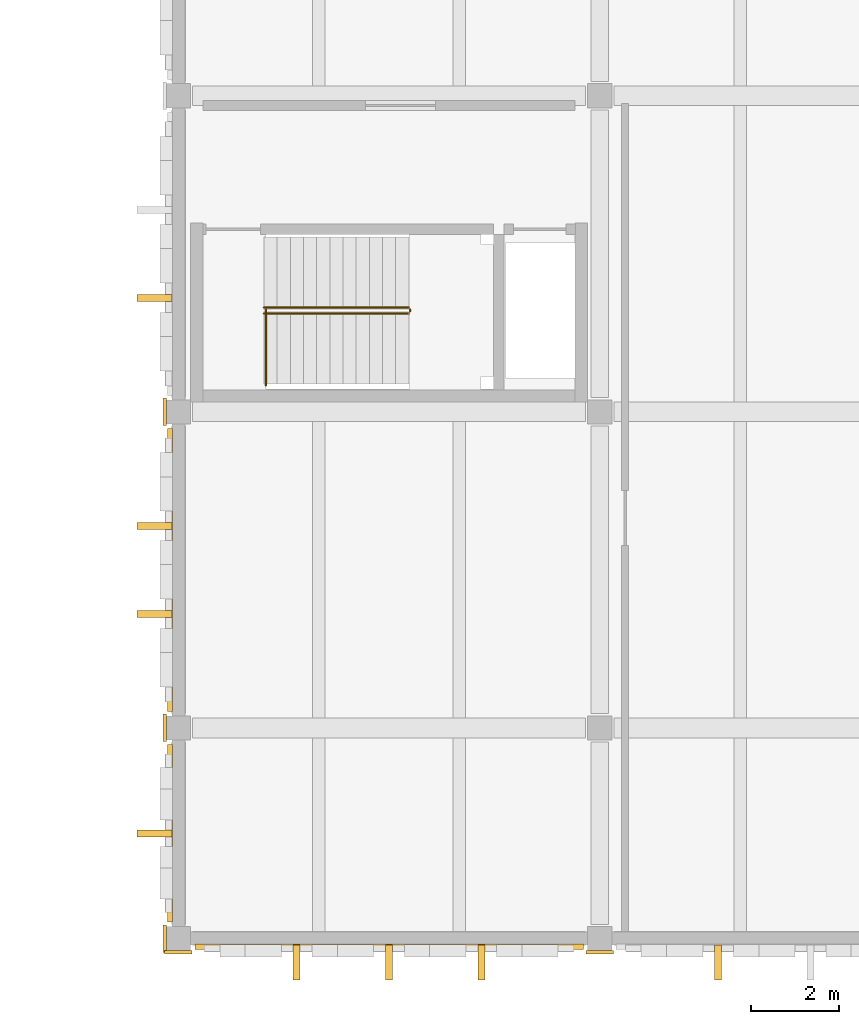
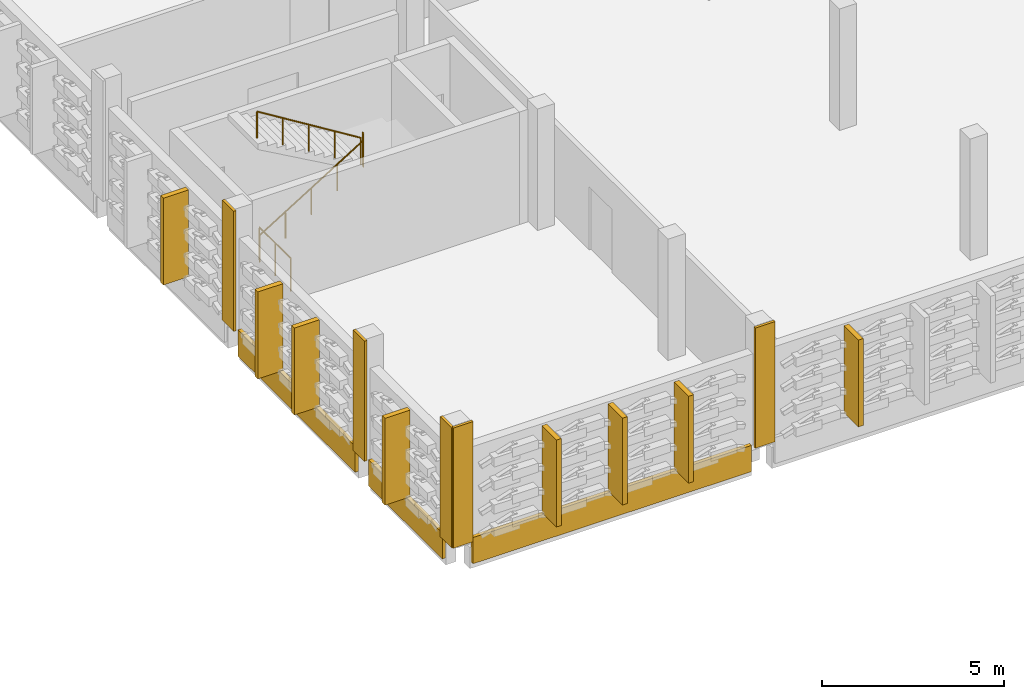
# One storey, part 61 of 72: 16 coverings, 4 railings.
"""IFC4 building model written with IfcOpenShell, lengths in metres."""

from ifc_helpers import new_model, si_unit, direction, frame, origin, origin_2d, place, context, subcontext, project, spatial, rectangle, circle, extrude, material, layer, layer_set, type_object, element, save


model = new_model("IFC4")

# Units and contexts
model_context = context("Model", 3, precision=1e-05, world=origin(), true_north=direction((0.0, 1.0)))
body_context = subcontext(model_context, "Body", "Model", "MODEL_VIEW")
ifc_project = project(units=[si_unit("LENGTHUNIT", "METRE"), si_unit("AREAUNIT", "SQUARE_METRE"), si_unit("VOLUMEUNIT", "CUBIC_METRE"), si_unit("PLANEANGLEUNIT", "RADIAN"), si_unit("MASSUNIT", "GRAM", prefix="KILO")], contexts=[model_context])

# Site, building, storey
site_placement = place(None, origin())
site = spatial("IfcSite", under=ifc_project, at=site_placement, CompositionType="ELEMENT")
building_placement = place(site_placement, origin())
building = spatial("IfcBuilding", under=site, at=building_placement, Name="Asteropetra Specialist Clinic", CompositionType="ELEMENT")
storey_placement = place(building_placement, frame((0.0, 0.0, 12.580078125)))
storey = spatial("IfcBuildingStorey", under=building, at=storey_placement, Name="L03", CompositionType="ELEMENT", Elevation=12.580078125)

# Coverings
ifc_material_1 = material(Name="Chevron sage")
ifc_layer_1 = layer(ifc_material_1, 0.1201171875)
ifc_layer_set_1 = layer_set([ifc_layer_1], Name="Chevron sage")
covering_type_1 = type_object("IfcCoveringType", Name="CLD-AEG-SAGE", PredefinedType="CLADDING", material=ifc_layer_set_1)
covering_1_placement = place(storey_placement, frame((110.39990234375, -0.1875, -0.800048828125), z_axis=(0.0, 0.0, 1.0), x_axis=(1.0, 0.0, 0.0)))
element("IfcCovering", 1, at=covering_1_placement, inside=storey, type_object=covering_type_1, Name="Chevron Spandrel Band CV-2275", PredefinedType="CLADDING", context=body_context, shape_type="SweptSolid", body=[
    extrude(rectangle(XDim=8.85009765625, YDim=0.1201171875, at=origin_2d()), origin(), (0.0, 0.0, 1.0), 0.8798828125),
])
covering_2_placement = place(storey_placement, frame((105.41259765625, 2.39990234375, -0.800048828125), z_axis=(0.0, 0.0, 1.0), x_axis=(1.0, 0.0, 0.0)))
element("IfcCovering", 2, at=covering_2_placement, inside=storey, type_object=covering_type_1, Name="Chevron Spandrel Band CV-2285", PredefinedType="CLADDING", context=body_context, shape_type="SweptSolid", body=[
    extrude(rectangle(XDim=0.1201171875, YDim=4.050048828125, at=origin_2d()), origin(), (0.0, 0.0, 1.0), 0.8798828125),
])
covering_3_placement = place(storey_placement, frame((105.41259765625, 8.39990234375, -0.800048828125), z_axis=(0.0, 0.0, 1.0), x_axis=(1.0, 0.0, 0.0)))
element("IfcCovering", 3, at=covering_3_placement, inside=storey, type_object=covering_type_1, Name="Chevron Spandrel Band CV-2287", PredefinedType="CLADDING", context=body_context, shape_type="SweptSolid", body=[
    extrude(rectangle(XDim=0.1201171875, YDim=6.449951171875, at=origin_2d()), origin(), (0.0, 0.0, 1.0), 0.8798828125),
])
ifc_material_2 = material(Name="Pentelic marble ashlar", Category="masonry")
ifc_layer_2 = layer(ifc_material_2, 0.159912109375)
ifc_layer_set_2 = layer_set([ifc_layer_2], Name="Pentelic marble ashlar")
covering_type_2 = type_object("IfcCoveringType", Name="CRN-ENTAB-600", PredefinedType="MOLDING", material=ifc_layer_set_2)
covering_4_placement = place(storey_placement, frame((105.60009765625, -0.306884765625, 0.02001953125), z_axis=(0.0, 0.0, 1.0), x_axis=(1.0, 0.0, 0.0)))
element("IfcCovering", 4, at=covering_4_placement, inside=storey, type_object=covering_type_2, Name="Neoclassical Pilaster Facing CM-1137", PredefinedType="MOLDING", context=body_context, shape_type="SweptSolid", body=[
    extrude(rectangle(XDim=0.6298828125, YDim=0.080078125, at=origin_2d()), origin(), (0.0, 0.0, 1.0), 4.0400390625),
])
for number, where, z_axis, x_axis, name in (
    (5, (105.29296875, 0.0, 0.02001953125), (0.0, 0.0, 1.0), (1.0, 0.0, 0.0), "Neoclassical Pilaster Facing CM-1138"),
    (6, (105.29296875, 4.800048828125, 0.02001953125), (0.0, 0.0, 1.0), (1.0, 0.0, 0.0), "Neoclassical Pilaster Facing CM-1139"),
    (7, (105.29296875, 12.0, 0.02001953125), (0.0, 0.0, 1.0), (1.0, 0.0, 0.0), "Neoclassical Pilaster Facing CM-1140"),
):
    element("IfcCovering", number, at=place(storey_placement, frame(where, z_axis=z_axis, x_axis=x_axis)), inside=storey, type_object=covering_type_2, Name=name, PredefinedType="MOLDING", context=body_context, shape_type="SweptSolid", body=[
        extrude(rectangle(XDim=0.080078125, YDim=0.6298828125, at=origin_2d()), origin(), (0.0, 0.0, 1.0), 4.0400390625),
    ])
covering_5_placement = place(storey_placement, frame((115.199951171875, -0.306884765625, 0.02001953125), z_axis=(0.0, 0.0, 1.0), x_axis=(1.0, 0.0, 0.0)))
element("IfcCovering", 8, at=covering_5_placement, inside=storey, type_object=covering_type_2, Name="Neoclassical Pilaster Facing CM-1147", PredefinedType="MOLDING", context=body_context, shape_type="SweptSolid", body=[
    extrude(rectangle(XDim=0.6298828125, YDim=0.080078125, at=origin_2d()), origin(), (0.0, 0.0, 1.0), 4.0400390625),
])
ifc_material_3 = material(Name="Pentelic marble solar fin", Category="masonry")
ifc_layer_3 = layer(ifc_material_3, 0.080078125)
ifc_layer_set_3 = layer_set([ifc_layer_3], Name="Pentelic marble solar fin")
covering_type_3 = type_object("IfcCoveringType", Name="FIN-SOLAR-800", PredefinedType="MOLDING", material=ifc_layer_set_3)
for number, where, z_axis, x_axis, name in (
    (9, (108.297607421875, -0.54248046875, 0.070068359375), (0.0, 0.0, 1.0), (1.0, 0.0, 0.0), "Solar Shading Fin FN-0216"),
    (10, (110.39990234375, -0.54248046875, 0.070068359375), (0.0, 0.0, 1.0), (1.0, 0.0, 0.0), "Solar Shading Fin FN-0217"),
    (11, (112.50244140625, -0.54248046875, 0.070068359375), (0.0, 0.0, 1.0), (1.0, 0.0, 0.0), "Solar Shading Fin FN-0218"),
    (12, (117.8974609375, -0.54248046875, 0.070068359375), (0.0, 0.0, 1.0), (1.0, 0.0, 0.0), "Solar Shading Fin FN-0222"),
):
    element("IfcCovering", number, at=place(storey_placement, frame(where, z_axis=z_axis, x_axis=x_axis)), inside=storey, type_object=covering_type_3, Name=name, PredefinedType="MOLDING", context=body_context, shape_type="SweptSolid", body=[
        extrude(rectangle(XDim=0.159912109375, YDim=0.800048828125, at=origin_2d()), origin(), (0.0, 0.0, 1.0), 2.919921875),
    ])
for number, where, z_axis, x_axis, name in (
    (13, (105.0576171875, 2.39990234375, 0.070068359375), (0.0, 0.0, 1.0), (1.0, 0.0, 0.0), "Solar Shading Fin FN-0246"),
    (14, (105.0576171875, 9.401611328125, 0.070068359375), (0.0, 0.0, 1.0), (1.0, 0.0, 0.0), "Solar Shading Fin FN-0248"),
    (15, (105.0576171875, 7.398193359375, 0.070068359375), (0.0, 0.0, 1.0), (1.0, 0.0, 0.0), "Solar Shading Fin FN-0249"),
    (16, (105.0576171875, 14.598388671875, 0.070068359375), (0.0, 0.0, 1.0), (1.0, 0.0, 0.0), "Solar Shading Fin FN-0253"),
):
    element("IfcCovering", number, at=place(storey_placement, frame(where, z_axis=z_axis, x_axis=x_axis)), inside=storey, type_object=covering_type_3, Name=name, PredefinedType="MOLDING", context=body_context, shape_type="SweptSolid", body=[
        extrude(rectangle(XDim=0.800048828125, YDim=0.159912109375, at=origin_2d()), origin(), (0.0, 0.0, 1.0), 2.919921875),
    ])

# Railings
ifc_material_4 = material(Name="Steel S355 and laminated glass guard", Category="steel")
railing_type_1 = type_object("IfcRailingType", Name="GRD-INT-1120", PredefinedType="GUARDRAIL", material=ifc_material_4)
railing_1_placement = place(storey_placement, frame((107.60009765625, 12.60009765625, 0.0)))
element("IfcRailing", 17, at=railing_1_placement, inside=storey, type_object=railing_type_1, Name="Stair Well Guard ST08-L02", PredefinedType="GUARDRAIL", context=body_context, shape_type="SweptSolid", body=[
    extrude(circle(Radius=0.02392578125, at=origin_2d()), frame((0.0, 0.0, 1.09619140625), z_axis=(0.0, 1.0, 0.0), x_axis=(-1.0, 0.0, 0.0)), (0.0, 0.0, 1.0), 1.72998046875),
    extrude(circle(Radius=0.02099609375, at=origin_2d()), origin(), (0.0, 0.0, 1.0), 1.072021484375),
    extrude(circle(Radius=0.02099609375, at=origin_2d()), frame((0.0, 0.864990234375, 0.0)), (0.0, 0.0, 1.0), 1.072021484375),
    extrude(circle(Radius=0.02099609375, at=origin_2d()), frame((0.0, 1.72998046875, 0.0)), (0.0, 0.0, 1.0), 1.072021484375),
])
railing_2_placement = place(storey_placement, frame((110.8798828125, 14.2900390625, 2.0400390625)))
element("IfcRailing", 18, at=railing_2_placement, inside=storey, type_object=railing_type_1, Name="Landing Slot Guard ST08-L03", PredefinedType="GUARDRAIL", context=body_context, shape_type="SweptSolid", body=[
    extrude(circle(Radius=0.02392578125, at=origin_2d()), frame((0.0, 0.0, 1.09619140625), z_axis=(0.0, 1.0, 0.0), x_axis=(-1.0, 0.0, 0.0)), (0.0, 0.0, 1.0), 0.0400390625),
    extrude(circle(Radius=0.02099609375, at=origin_2d()), origin(), (0.0, 0.0, 1.0), 1.072021484375),
    extrude(circle(Radius=0.02099609375, at=origin_2d()), frame((0.0, 0.0400390625, 0.0)), (0.0, 0.0, 1.0), 1.072021484375),
])
ifc_material_5 = material(Name="Brushed stainless steel handrail", Category="steel")
railing_type_2 = type_object("IfcRailingType", Name="HRL-STAIR-920", PredefinedType="HANDRAIL", material=ifc_material_5)
railing_3_placement = place(storey_placement, frame((107.550048828125, 14.239990234375, 0.0)))
element("IfcRailing", 19, at=railing_3_placement, inside=storey, type_object=railing_type_2, Name="Stair Handrail ST08-L03 F1", PredefinedType="HANDRAIL", context=body_context, shape_type="SweptSolid", body=[
    extrude(circle(Radius=0.02392578125, at=origin_2d()), frame((0.0, 0.0, 0.89599609375), z_axis=(0.850593546085, 0.0, 0.525823753132), x_axis=(0.0, 1.0, 0.0)), (0.0, 0.0, 1.0), 3.879638671875),
    extrude(circle(Radius=0.02099609375, at=origin_2d()), origin(), (0.0, 0.0, 1.0), 0.871826171875),
    extrude(circle(Radius=0.02099609375, at=origin_2d()), frame((0.824951171875, 0.0, 0.510009765625)), (0.0, 0.0, 1.0), 0.871826171875),
    extrude(circle(Radius=0.02099609375, at=origin_2d()), frame((1.64990234375, 0.0, 1.02001953125)), (0.0, 0.0, 1.0), 0.871826171875),
    extrude(circle(Radius=0.02099609375, at=origin_2d()), frame((2.47509765625, 0.0, 1.530029296875)), (0.0, 0.0, 1.0), 0.871826171875),
    extrude(circle(Radius=0.02099609375, at=origin_2d()), frame((3.300048828125, 0.0, 2.0400390625)), (0.0, 0.0, 1.0), 0.871826171875),
])
railing_4_placement = place(storey_placement, frame((110.85009765625, 14.3798828125, 2.0400390625)))
element("IfcRailing", 20, at=railing_4_placement, inside=storey, type_object=railing_type_2, Name="Stair Handrail ST08-L03 F2", PredefinedType="HANDRAIL", context=body_context, shape_type="SweptSolid", body=[
    extrude(circle(Radius=0.02392578125, at=origin_2d()), frame((0.0, 0.0, 0.89599609375), z_axis=(-0.850621690979, 0.0, 0.525778222101), x_axis=(0.0, -1.0, 0.0)), (0.0, 0.0, 1.0), 3.879638671875),
    extrude(circle(Radius=0.02099609375, at=origin_2d()), origin(), (0.0, 0.0, 1.0), 0.871826171875),
    extrude(circle(Radius=0.02099609375, at=origin_2d()), frame((-0.824951171875, 0.0, 0.510009765625)), (0.0, 0.0, 1.0), 0.871826171875),
    extrude(circle(Radius=0.02099609375, at=origin_2d()), frame((-1.64990234375, 0.0, 1.02001953125)), (0.0, 0.0, 1.0), 0.871826171875),
    extrude(circle(Radius=0.02099609375, at=origin_2d()), frame((-2.47509765625, 0.0, 1.52978515625)), (0.0, 0.0, 1.0), 0.871826171875),
    extrude(circle(Radius=0.02099609375, at=origin_2d()), frame((-3.300048828125, 0.0, 2.039794921875)), (0.0, 0.0, 1.0), 0.871826171875),
])

save(model, "model.ifc")
